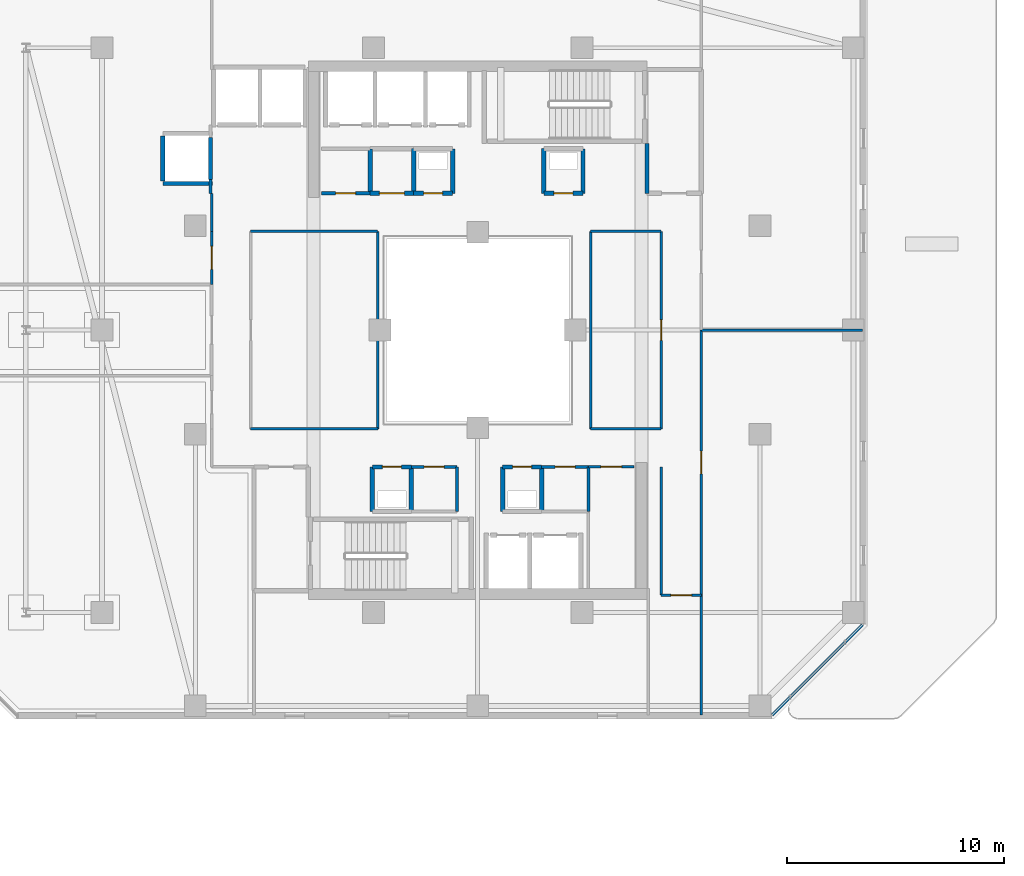
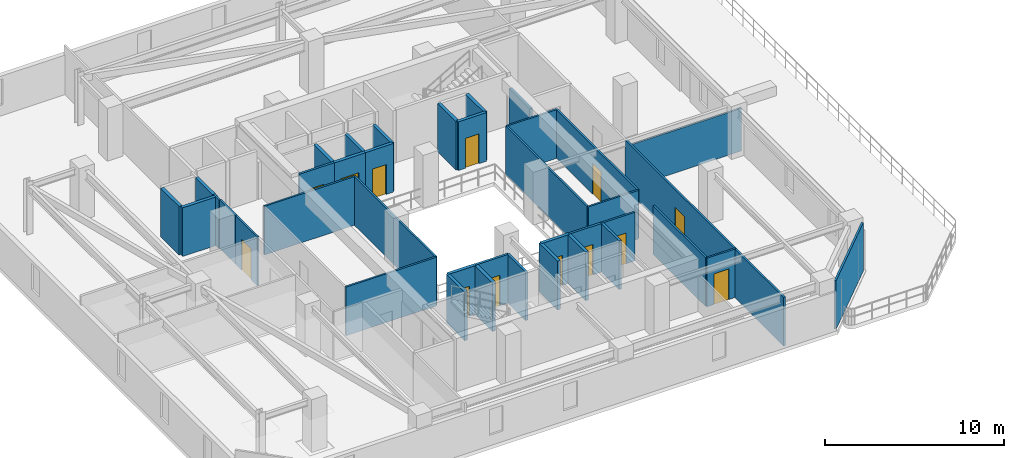
# One storey, part 21 of 32: 40 walls, 13 doors, 13 openings.
"""IFC4 building model written with IfcOpenShell, lengths in metres."""

from ifc_helpers import new_model, si_unit, direction, frame, frame_2d, origin, place, context, subcontext, project, spatial, rectangle, extrude, material, layer, layer_set, type_object, element, fill, save


model = new_model("IFC4")

# Units and contexts
model_context = context("Model", 3, precision=1e-05, world=origin(), true_north=direction((0.0, 1.0)))
body_context = subcontext(model_context, "Body", "Model", "MODEL_VIEW")
ifc_project = project(units=[si_unit("LENGTHUNIT", "METRE"), si_unit("AREAUNIT", "SQUARE_METRE"), si_unit("VOLUMEUNIT", "CUBIC_METRE"), si_unit("PLANEANGLEUNIT", "RADIAN"), si_unit("MASSUNIT", "GRAM", prefix="KILO")], contexts=[model_context])

# Site, building, storey
site_placement = place(None, origin())
site = spatial("IfcSite", under=ifc_project, at=site_placement, CompositionType="ELEMENT")
building_placement = place(site_placement, origin())
building = spatial("IfcBuilding", under=site, at=building_placement, Name="Thornwick Lancets Civic Towers", CompositionType="ELEMENT")
storey_placement = place(building_placement, frame((0.0, 0.0, 200.10009765625)))
storey = spatial("IfcBuildingStorey", under=building, at=storey_placement, Name="L53", CompositionType="ELEMENT", Elevation=200.10009765625)

# Walls
ifc_material_1 = material(Name="Concrete blockwork C40/50", Category="masonry")
ifc_layer_1 = layer(ifc_material_1, 0.199951171875, Name="Concrete blockwork C40/50")
ifc_layer_set_1 = layer_set([ifc_layer_1], Name="Concrete blockwork C40/50")
wall_type_1 = type_object("IfcWallType", Name="WALL_COMP_200", PredefinedType="STANDARD", material=ifc_layer_set_1)
wall_1_placement = place(storey_placement, frame((13.199951171875, 33.929931640625, 0.0), z_axis=(0.0, 0.0, 1.0), x_axis=(0.0, 1.0, 0.0)))
element("IfcWall", 1, at=wall_1_placement, inside=storey, type_object=wall_type_1, Name="L53 Hoistway Front Wall PL-AM3", PredefinedType="STANDARD", context=body_context, shape_type="SweptSolid", body=[
    extrude(rectangle(XDim=1.940185546875, YDim=0.199951171875, at=frame_2d((0.97021484375, 0.0))), origin(), (0.0, 0.0, 1.0), 3.31982421875),
])
wall_2_placement = place(storey_placement, frame((11.001953125, 33.75, 0.0), z_axis=(0.0, 0.0, 1.0), x_axis=(1.0, 0.0, 0.0)))
element("IfcWall", 2, at=wall_2_placement, inside=storey, type_object=wall_type_1, Name="L53 Hoistway Shaft Wall PL-AM3 S", PredefinedType="STANDARD", context=body_context, shape_type="SweptSolid", body=[
    extrude(rectangle(XDim=2.296142578125, YDim=0.199951171875, at=frame_2d((1.14794921875, 0.0))), origin(), (0.0, 0.0, 1.0), 3.31982421875),
])
wall_3_placement = place(storey_placement, frame((11.0, 33.862060546875, 0.0), z_axis=(0.0, 0.0, 1.0), x_axis=(0.0, 1.0, 0.0)))
element("IfcWall", 3, at=wall_3_placement, inside=storey, type_object=wall_type_1, Name="L53 Hoistway Shaft Wall PL-AM3 W", PredefinedType="STANDARD", context=body_context, shape_type="SweptSolid", body=[
    extrude(rectangle(XDim=2.075927734375, YDim=0.199951171875, at=frame_2d((1.0380859375, 0.0))), origin(), (0.0, 0.0, 1.0), 3.31982421875),
])
wall_4_placement = place(storey_placement, frame((33.300048828125, 35.60009765625, 0.0), z_axis=(0.0, 0.0, 1.0), x_axis=(0.0, -1.0, 0.0)))
element("IfcWall", 4, at=wall_4_placement, inside=storey, type_object=wall_type_1, Name="L53 Partition L53-A-FFLOB2 E4", PredefinedType="STANDARD", context=body_context, shape_type="SweptSolid", body=[
    extrude(rectangle(XDim=2.300048828125, YDim=0.199951171875, at=frame_2d((1.14990234375, 0.0))), origin(), (0.0, 0.0, 1.0), 2.52490234375),
])
wall_5_placement = place(storey_placement, frame((28.449951171875, 18.64990234375, 0.0), z_axis=(0.0, 0.0, 1.0), x_axis=(0.0, 1.0, 0.0)))
element("IfcWall", 5, at=wall_5_placement, inside=storey, type_object=wall_type_1, Name="L53 Partition L53-A-DUCT1 E2", PredefinedType="STANDARD", context=body_context, shape_type="SweptSolid", body=[
    extrude(rectangle(XDim=2.050048828125, YDim=0.199951171875, at=frame_2d((1.02490234375, 0.0))), origin(), (0.0, 0.0, 1.0), 3.31982421875),
])

# Wall, opening, door
wall_6_placement = place(storey_placement, frame((28.449951171875, 20.699951171875, 0.0), z_axis=(0.0, 0.0, 1.0), x_axis=(-1.0, 0.0, 0.0)))
wall_6 = element("IfcWall", 6, at=wall_6_placement, inside=storey, type_object=wall_type_1, Name="L53 Partition L53-A-DUCT1 E3", PredefinedType="STANDARD", context=body_context, shape_type="SweptSolid", body=[
    extrude(rectangle(XDim=1.800048828125, YDim=0.199951171875, at=frame_2d((0.89990234375, 0.0))), origin(), (0.0, 0.0, 1.0), 3.31982421875),
])
opening_1_placement = place(wall_6_placement, frame((0.4599609375, 0.0, 0.0)))
opening_1 = element("IfcOpeningElement", 7, at=opening_1_placement, cuts=wall_6, Name="Opening D-L53-2347", PredefinedType="OPENING", context=body_context, shape_type="SweptSolid", body=[
    extrude(rectangle(XDim=0.8798828125, YDim=2.0400390625, at=frame_2d((0.43994140625, 1.02001953125))), frame((0.0, 0.10986328125, 0.0), z_axis=(0.0, -1.0, 0.0), x_axis=(1.0, 0.0, 0.0)), (0.0, 0.0, 1.0), 0.219970703125),
])
ifc_material_2 = material(Name="Steel riser access doorset", Category="steel")
door_type_1 = type_object("IfcDoorType", Name="DOOR_RISER_850", OperationType="NOTDEFINED", PredefinedType="DOOR", material=ifc_material_2)
door_1_placement = place(opening_1_placement, origin())
door_1 = element("IfcDoor", 8, at=door_1_placement, inside=storey, type_object=door_type_1, Name="L53 South Service Duct 1 Door", OperationType="SINGLE_SWING_RIGHT", OverallHeight=2.0400390625, OverallWidth=0.8798828125, PredefinedType="DOOR", context=body_context, shape_type="SweptSolid", body=[
    extrude(rectangle(XDim=0.8798828125, YDim=2.0400390625, at=frame_2d((0.43994140625, 1.02001953125))), frame((0.0, 0.02490234375, 0.0), z_axis=(0.0, -1.0, 0.0), x_axis=(1.0, 0.0, 0.0)), (0.0, 0.0, 1.0), 0.050048828125),
])
fill(opening_1, door_1)

# Walls
for number, where, z_axis, x_axis, name in (
    (9, (26.64990234375, 20.699951171875, 0.0), (0.0, 0.0, 1.0), (0.0, -1.0, 0.0), "L53 Partition L53-A-DUCT1 E4"),
    (10, (22.449951171875, 18.64990234375, 0.0), (0.0, 0.0, 1.0), (0.0, 1.0, 0.0), "L53 Partition L53-A-RISER1 E2"),
):
    element("IfcWall", number, at=place(storey_placement, frame(where, z_axis=z_axis, x_axis=x_axis)), inside=storey, type_object=wall_type_1, Name=name, PredefinedType="STANDARD", context=body_context, shape_type="SweptSolid", body=[
        extrude(rectangle(XDim=2.050048828125, YDim=0.199951171875, at=frame_2d((1.02490234375, 0.0))), origin(), (0.0, 0.0, 1.0), 3.31982421875),
    ])

# Wall, opening, door
wall_7_placement = place(storey_placement, frame((22.449951171875, 20.699951171875, 0.0), z_axis=(0.0, 0.0, 1.0), x_axis=(-1.0, 0.0, 0.0)))
wall_7 = element("IfcWall", 11, at=wall_7_placement, inside=storey, type_object=wall_type_1, Name="L53 Partition L53-A-RISER1 E3", PredefinedType="STANDARD", context=body_context, shape_type="SweptSolid", body=[
    extrude(rectangle(XDim=1.800048828125, YDim=0.199951171875, at=frame_2d((0.89990234375, 0.0))), origin(), (0.0, 0.0, 1.0), 3.31982421875),
])
opening_2_placement = place(wall_7_placement, frame((0.4599609375, 0.0, 0.0)))
opening_2 = element("IfcOpeningElement", 12, at=opening_2_placement, cuts=wall_7, Name="Opening D-L53-2348", PredefinedType="OPENING", context=body_context, shape_type="SweptSolid", body=[
    extrude(rectangle(XDim=0.8798828125, YDim=2.0400390625, at=frame_2d((0.43994140625, 1.02001953125))), frame((0.0, 0.10986328125, 0.0), z_axis=(0.0, -1.0, 0.0), x_axis=(1.0, 0.0, 0.0)), (0.0, 0.0, 1.0), 0.219970703125),
])
door_2_placement = place(opening_2_placement, origin())
door_2 = element("IfcDoor", 13, at=door_2_placement, inside=storey, type_object=door_type_1, Name="L53 South Electrical Riser 1 Door", OperationType="SINGLE_SWING_LEFT", OverallHeight=2.0400390625, OverallWidth=0.8798828125, PredefinedType="DOOR", context=body_context, shape_type="SweptSolid", body=[
    extrude(rectangle(XDim=0.8798828125, YDim=2.0400390625, at=frame_2d((0.43994140625, 1.02001953125))), frame((0.0, 0.02490234375, 0.0), z_axis=(0.0, -1.0, 0.0), x_axis=(1.0, 0.0, 0.0)), (0.0, 0.0, 1.0), 0.050048828125),
])
fill(opening_2, door_2)

# Wall
wall_8_placement = place(storey_placement, frame((20.64990234375, 20.699951171875, 0.0), z_axis=(0.0, 0.0, 1.0), x_axis=(0.0, -1.0, 0.0)))
element("IfcWall", 14, at=wall_8_placement, inside=storey, type_object=wall_type_1, Name="L53 Partition L53-A-RISER1 E4", PredefinedType="STANDARD", context=body_context, shape_type="SweptSolid", body=[
    extrude(rectangle(XDim=2.050048828125, YDim=0.199951171875, at=frame_2d((1.02490234375, 0.0))), origin(), (0.0, 0.0, 1.0), 3.31982421875),
])

# Wall, opening, door
wall_9_placement = place(storey_placement, frame((22.550048828125, 33.300048828125, 0.0), z_axis=(0.0, 0.0, 1.0), x_axis=(1.0, 0.0, 0.0)))
wall_9 = element("IfcWall", 15, at=wall_9_placement, inside=storey, type_object=wall_type_1, Name="L53 Partition L53-A-DUCT2 E1", PredefinedType="STANDARD", context=body_context, shape_type="SweptSolid", body=[
    extrude(rectangle(XDim=1.800048828125, YDim=0.199951171875, at=frame_2d((0.89990234375, 0.0))), origin(), (0.0, 0.0, 1.0), 3.31982421875),
])
opening_3_placement = place(wall_9_placement, frame((0.4599609375, 0.0, 0.0)))
opening_3 = element("IfcOpeningElement", 16, at=opening_3_placement, cuts=wall_9, Name="Opening D-L53-2349", PredefinedType="OPENING", context=body_context, shape_type="SweptSolid", body=[
    extrude(rectangle(XDim=0.8798828125, YDim=2.0400390625, at=frame_2d((0.43994140625, 1.02001953125))), frame((0.0, 0.10986328125, 0.0), z_axis=(0.0, -1.0, 0.0), x_axis=(1.0, 0.0, 0.0)), (0.0, 0.0, 1.0), 0.219970703125),
])
door_3_placement = place(opening_3_placement, origin())
door_3 = element("IfcDoor", 17, at=door_3_placement, inside=storey, type_object=door_type_1, Name="L53 North Service Duct 2 Door", OperationType="SINGLE_SWING_RIGHT", OverallHeight=2.0400390625, OverallWidth=0.8798828125, PredefinedType="DOOR", context=body_context, shape_type="SweptSolid", body=[
    extrude(rectangle(XDim=0.8798828125, YDim=2.0400390625, at=frame_2d((0.43994140625, 1.02001953125))), frame((0.0, 0.02490234375, 0.0), z_axis=(0.0, -1.0, 0.0), x_axis=(1.0, 0.0, 0.0)), (0.0, 0.0, 1.0), 0.050048828125),
])
fill(opening_3, door_3)

# Walls
for number, where, z_axis, x_axis, name in (
    (18, (24.35009765625, 33.300048828125, 0.0), (0.0, 0.0, 1.0), (0.0, 1.0, 0.0), "L53 Partition L53-A-DUCT2 E2"),
    (19, (22.550048828125, 35.35009765625, 0.0), (0.0, 0.0, 1.0), (0.0, -1.0, 0.0), "L53 Partition L53-A-DUCT2 E4"),
):
    element("IfcWall", number, at=place(storey_placement, frame(where, z_axis=z_axis, x_axis=x_axis)), inside=storey, type_object=wall_type_1, Name=name, PredefinedType="STANDARD", context=body_context, shape_type="SweptSolid", body=[
        extrude(rectangle(XDim=2.050048828125, YDim=0.199951171875, at=frame_2d((1.02490234375, 0.0))), origin(), (0.0, 0.0, 1.0), 3.31982421875),
    ])

# Wall, opening, door
wall_10_placement = place(storey_placement, frame((28.550048828125, 33.300048828125, 0.0), z_axis=(0.0, 0.0, 1.0), x_axis=(1.0, 0.0, 0.0)))
wall_10 = element("IfcWall", 20, at=wall_10_placement, inside=storey, type_object=wall_type_1, Name="L53 Partition L53-A-RISER2 E1", PredefinedType="STANDARD", context=body_context, shape_type="SweptSolid", body=[
    extrude(rectangle(XDim=1.800048828125, YDim=0.199951171875, at=frame_2d((0.89990234375, 0.0))), origin(), (0.0, 0.0, 1.0), 3.31982421875),
])
opening_4_placement = place(wall_10_placement, frame((0.4599609375, 0.0, 0.0)))
opening_4 = element("IfcOpeningElement", 21, at=opening_4_placement, cuts=wall_10, Name="Opening D-L53-2350", PredefinedType="OPENING", context=body_context, shape_type="SweptSolid", body=[
    extrude(rectangle(XDim=0.8798828125, YDim=2.0400390625, at=frame_2d((0.43994140625, 1.02001953125))), frame((0.0, 0.10986328125, 0.0), z_axis=(0.0, -1.0, 0.0), x_axis=(1.0, 0.0, 0.0)), (0.0, 0.0, 1.0), 0.219970703125),
])
door_4_placement = place(opening_4_placement, origin())
door_4 = element("IfcDoor", 22, at=door_4_placement, inside=storey, type_object=door_type_1, Name="L53 North Service Riser 2 Door", OperationType="SINGLE_SWING_LEFT", OverallHeight=2.0400390625, OverallWidth=0.8798828125, PredefinedType="DOOR", context=body_context, shape_type="SweptSolid", body=[
    extrude(rectangle(XDim=0.8798828125, YDim=2.0400390625, at=frame_2d((0.43994140625, 1.02001953125))), frame((0.0, 0.02490234375, 0.0), z_axis=(0.0, -1.0, 0.0), x_axis=(1.0, 0.0, 0.0)), (0.0, 0.0, 1.0), 0.050048828125),
])
fill(opening_4, door_4)

# Walls
for number, where, z_axis, x_axis, name in (
    (23, (30.35009765625, 33.300048828125, 0.0), (0.0, 0.0, 1.0), (0.0, 1.0, 0.0), "L53 Partition L53-A-RISER2 E2"),
    (24, (28.550048828125, 35.35009765625, 0.0), (0.0, 0.0, 1.0), (0.0, -1.0, 0.0), "L53 Partition L53-A-RISER2 E4"),
    (25, (20.550048828125, 33.300048828125, 0.0), (0.0, 0.0, 1.0), (0.0, 1.0, 0.0), "L53 Partition L53-A-STR E1"),
):
    element("IfcWall", number, at=place(storey_placement, frame(where, z_axis=z_axis, x_axis=x_axis)), inside=storey, type_object=wall_type_1, Name=name, PredefinedType="STANDARD", context=body_context, shape_type="SweptSolid", body=[
        extrude(rectangle(XDim=2.050048828125, YDim=0.199951171875, at=frame_2d((1.02490234375, 0.0))), origin(), (0.0, 0.0, 1.0), 3.31982421875),
    ])

# Wall, opening, door
wall_11_placement = place(storey_placement, frame((22.550048828125, 33.300048828125, 0.0), z_axis=(0.0, 0.0, 1.0), x_axis=(-1.0, 0.0, 0.0)))
wall_11 = element("IfcWall", 26, at=wall_11_placement, inside=storey, type_object=wall_type_1, Name="L53 Partition L53-A-STR E4", PredefinedType="STANDARD", context=body_context, shape_type="SweptSolid", body=[
    extrude(rectangle(XDim=2.0, YDim=0.199951171875, at=frame_2d((1.0, 0.0))), origin(), (0.0, 0.0, 1.0), 3.31982421875),
])
opening_5_placement = place(wall_11_placement, frame((0.425048828125, 0.0, 0.0)))
opening_5 = element("IfcOpeningElement", 27, at=opening_5_placement, cuts=wall_11, Name="Opening D-L53-2355", PredefinedType="OPENING", context=body_context, shape_type="SweptSolid", body=[
    extrude(rectangle(XDim=1.14990234375, YDim=2.10009765625, at=frame_2d((0.574951171875, 1.050048828125))), frame((0.0, 0.10986328125, 0.0), z_axis=(0.0, -1.0, 0.0), x_axis=(1.0, 0.0, 0.0)), (0.0, 0.0, 1.0), 0.219970703125),
])
ifc_material_3 = material(Name="Glazed fire-resisting steel", Category="steel")
door_type_2 = type_object("IfcDoorType", Name="DOOR_LOBBY_FD60", OperationType="NOTDEFINED", PredefinedType="DOOR", material=ifc_material_3)
door_5_placement = place(opening_5_placement, origin())
door_5 = element("IfcDoor", 28, at=door_5_placement, inside=storey, type_object=door_type_2, Name="L53 Tower A Core Records Store Door", OperationType="SINGLE_SWING_RIGHT", OverallHeight=2.10009765625, OverallWidth=1.14990234375, PredefinedType="DOOR", context=body_context, shape_type="SweptSolid", body=[
    extrude(rectangle(XDim=1.14990234375, YDim=2.10009765625, at=frame_2d((0.574951171875, 1.050048828125))), frame((0.0, 0.02490234375, 0.0), z_axis=(0.0, -1.0, 0.0), x_axis=(1.0, 0.0, 0.0)), (0.0, 0.0, 1.0), 0.050048828125),
])
fill(opening_5, door_5)

ifc_material_4 = material(Name="Acoustic gypsum board partition")
ifc_layer_2 = layer(ifc_material_4, 0.1201171875, Name="Acoustic gypsum board partition")
ifc_layer_set_2 = layer_set([ifc_layer_2], Name="Acoustic gypsum board partition")
wall_type_2 = type_object("IfcWallType", Name="WALL_PART_120", PredefinedType="PARTITIONING", material=ifc_layer_set_2)
wall_12_placement = place(storey_placement, frame((30.60009765625, 20.699951171875, 0.0), z_axis=(0.0, 0.0, 1.0), x_axis=(1.0, 0.0, 0.0)))
wall_12 = element("IfcWall", 29, at=wall_12_placement, inside=storey, type_object=wall_type_2, Name="L53 Partition L53-A-ITR E5", PredefinedType="PARTITIONING", context=body_context, shape_type="SweptSolid", body=[
    extrude(rectangle(XDim=2.099853515625, YDim=0.1201171875, at=frame_2d((1.0498046875, 0.0))), origin(), (0.0, 0.0, 1.0), 3.31982421875),
])
opening_6_placement = place(wall_12_placement, frame((0.574951171875, 0.0, 0.0)))
opening_6 = element("IfcOpeningElement", 30, at=opening_6_placement, cuts=wall_12, Name="Opening D-L53-2353", PredefinedType="OPENING", context=body_context, shape_type="SweptSolid", body=[
    extrude(rectangle(XDim=0.949951171875, YDim=2.10009765625, at=frame_2d((0.47509765625, 1.050048828125))), frame((0.0, 0.070068359375, 0.0), z_axis=(0.0, -1.0, 0.0), x_axis=(1.0, 0.0, 0.0)), (0.0, 0.0, 1.0), 0.14013671875),
])
ifc_material_5 = material(Name="European oak acoustic doorset")
door_type_3 = type_object("IfcDoorType", Name="DOOR_OFFICE_950", OperationType="NOTDEFINED", PredefinedType="DOOR", material=ifc_material_5)
door_6_placement = place(opening_6_placement, origin())
door_6 = element("IfcDoor", 31, at=door_6_placement, inside=storey, type_object=door_type_3, Name="L53 Tower A Comms Patch Room Door", OperationType="SINGLE_SWING_RIGHT", OverallHeight=2.10009765625, OverallWidth=0.949951171875, PredefinedType="DOOR", context=body_context, shape_type="SweptSolid", body=[
    extrude(rectangle(XDim=0.949951171875, YDim=2.10009765625, at=frame_2d((0.47509765625, 1.050048828125))), frame((0.0, 0.02490234375, 0.0), z_axis=(0.0, -1.0, 0.0), x_axis=(1.0, 0.0, 0.0)), (0.0, 0.0, 1.0), 0.050048828125),
])
fill(opening_6, door_6)

# Wall
wall_13_placement = place(storey_placement, frame((33.949951171875, 20.699951171875, 0.0), z_axis=(0.0, 0.0, 1.0), x_axis=(0.0, -1.0, 0.0)))
element("IfcWall", 32, at=wall_13_placement, inside=storey, type_object=wall_type_2, Name="L53 Partition L53-A-RECLAIM-L E2", PredefinedType="PARTITIONING", context=body_context, shape_type="SweptSolid", body=[
    extrude(rectangle(XDim=5.89990234375, YDim=0.1201171875, at=frame_2d((2.949951171875, 0.0))), origin(), (0.0, 0.0, 1.0), 3.31982421875),
])

# Wall, opening, door
wall_14_placement = place(storey_placement, frame((33.949951171875, 14.800048828125, 0.0), z_axis=(0.0, 0.0, 1.0), x_axis=(1.0, 0.0, 0.0)))
wall_14 = element("IfcWall", 33, at=wall_14_placement, inside=storey, type_object=wall_type_2, Name="L53 Partition L53-A-RECLAIM-L E3", PredefinedType="PARTITIONING", context=body_context, shape_type="SweptSolid", body=[
    extrude(rectangle(XDim=1.85009765625, YDim=0.1201171875, at=frame_2d((0.925048828125, 0.0))), origin(), (0.0, 0.0, 1.0), 3.31982421875),
])
opening_7_placement = place(wall_14_placement, frame((0.449951171875, 0.0, 0.0)))
opening_7 = element("IfcOpeningElement", 34, at=opening_7_placement, cuts=wall_14, Name="Opening D-L53-2367", PredefinedType="OPENING", context=body_context, shape_type="SweptSolid", body=[
    extrude(rectangle(XDim=0.949951171875, YDim=2.10009765625, at=frame_2d((0.47509765625, 1.050048828125))), frame((0.0, 0.070068359375, 0.0), z_axis=(0.0, -1.0, 0.0), x_axis=(1.0, 0.0, 0.0)), (0.0, 0.0, 1.0), 0.14013671875),
])
door_7_placement = place(opening_7_placement, origin())
door_7 = element("IfcDoor", 35, at=door_7_placement, inside=storey, type_object=door_type_3, Name="L53 Tower A Parliamentary Drafting Library Door", OperationType="SINGLE_SWING_RIGHT", OverallHeight=2.10009765625, OverallWidth=0.949951171875, PredefinedType="DOOR", context=body_context, shape_type="SweptSolid", body=[
    extrude(rectangle(XDim=0.949951171875, YDim=2.10009765625, at=frame_2d((0.47509765625, 1.050048828125))), frame((0.0, 0.02490234375, 0.0), z_axis=(0.0, -1.0, 0.0), x_axis=(1.0, 0.0, 0.0)), (0.0, 0.0, 1.0), 0.050048828125),
])
fill(opening_7, door_7)

# Walls
wall_15_placement = place(storey_placement, frame((35.800048828125, 14.800048828125, 0.0), z_axis=(0.0, 0.0, 1.0), x_axis=(0.0, -1.0, 0.0)))
element("IfcWall", 36, at=wall_15_placement, inside=storey, type_object=wall_type_2, Name="L53 Partition L53-A-RECLAIM-L E4", PredefinedType="PARTITIONING", context=body_context, shape_type="SweptSolid", body=[
    extrude(rectangle(XDim=5.52001953125, YDim=0.1201171875, at=frame_2d((2.760009765625, 0.0))), origin(), (0.0, 0.0, 1.0), 3.31982421875),
])
wall_16_placement = place(storey_placement, frame((13.199951171875, 33.929931640625, 0.0), z_axis=(0.0, 0.0, 1.0), x_axis=(0.0, -1.0, 0.0)))
element("IfcWall", 37, at=wall_16_placement, inside=storey, type_object=wall_type_2, Name="L53 Partition L53-A-W2B E6", PredefinedType="PARTITIONING", context=body_context, shape_type="SweptSolid", body=[
    extrude(rectangle(XDim=0.6298828125, YDim=0.1201171875, at=frame_2d((0.31494140625, 0.0))), origin(), (0.0, 0.0, 1.0), 3.31982421875),
])
wall_17_placement = place(storey_placement, frame((13.25, 33.300048828125, 0.0), z_axis=(0.0, 0.0, 1.0), x_axis=(0.0, -1.0, 0.0)))
element("IfcWall", 38, at=wall_17_placement, inside=storey, type_object=wall_type_2, Name="L53 Partition L53-A-W2B E8", PredefinedType="PARTITIONING", context=body_context, shape_type="SweptSolid", body=[
    extrude(rectangle(XDim=1.75, YDim=0.1201171875, at=frame_2d((0.875, 0.0))), origin(), (0.0, 0.0, 1.0), 3.31982421875),
])

# Wall, opening, door
wall_18_placement = place(storey_placement, frame((13.25, 31.550048828125, 0.0), z_axis=(0.0, 0.0, 1.0), x_axis=(0.0, -1.0, 0.0)))
wall_18 = element("IfcWall", 39, at=wall_18_placement, inside=storey, type_object=wall_type_2, Name="L53 Partition L53-A-W2B E9", PredefinedType="PARTITIONING", context=body_context, shape_type="SweptSolid", body=[
    extrude(rectangle(XDim=2.449951171875, YDim=0.1201171875, at=frame_2d((1.22509765625, 0.0))), origin(), (0.0, 0.0, 1.0), 3.31982421875),
])
opening_8_placement = place(wall_18_placement, frame((0.699951171875, 0.0, 0.0)))
opening_8 = element("IfcOpeningElement", 40, at=opening_8_placement, cuts=wall_18, Name="Opening D-L53-2370", PredefinedType="OPENING", context=body_context, shape_type="SweptSolid", body=[
    extrude(rectangle(XDim=1.050048828125, YDim=2.10009765625, at=frame_2d((0.52490234375, 1.050048828125))), frame((0.0, 0.070068359375, 0.0), z_axis=(0.0, -1.0, 0.0), x_axis=(1.0, 0.0, 0.0)), (0.0, 0.0, 1.0), 0.14013671875),
])
ifc_material_6 = material(Name="Glazed European oak executive doorset")
door_type_4 = type_object("IfcDoorType", Name="DOOR_OFFICE_1050", OperationType="NOTDEFINED", PredefinedType="DOOR", material=ifc_material_6)
door_8_placement = place(opening_8_placement, origin())
door_8 = element("IfcDoor", 41, at=door_8_placement, inside=storey, type_object=door_type_4, Name="L53 Tower A Parliamentary Casework Suite W2B Door", OperationType="SINGLE_SWING_LEFT", OverallHeight=2.10009765625, OverallWidth=1.050048828125, PredefinedType="DOOR", context=body_context, shape_type="SweptSolid", body=[
    extrude(rectangle(XDim=1.050048828125, YDim=2.10009765625, at=frame_2d((0.52490234375, 1.050048828125))), frame((0.0, 0.02490234375, 0.0), z_axis=(0.0, -1.0, 0.0), x_axis=(1.0, 0.0, 0.0)), (0.0, 0.0, 1.0), 0.050048828125),
])
fill(opening_8, door_8)

# Walls
wall_19_placement = place(storey_placement, frame((15.050048828125, 31.550048828125, 0.0), z_axis=(0.0, 0.0, 1.0), x_axis=(1.0, 0.0, 0.0)))
element("IfcWall", 42, at=wall_19_placement, inside=storey, type_object=wall_type_2, Name="L53 Partition L53-A-W3 E2", PredefinedType="PARTITIONING", context=body_context, shape_type="SweptSolid", body=[
    extrude(rectangle(XDim=5.849853515625, YDim=0.1201171875, at=frame_2d((2.9248046875, 0.0))), origin(), (0.0, 0.0, 1.0), 3.31982421875),
])
wall_20_placement = place(storey_placement, frame((20.89990234375, 31.550048828125, 0.0), z_axis=(0.0, 0.0, 1.0), x_axis=(0.0, -1.0, 0.0)))
element("IfcWall", 43, at=wall_20_placement, inside=storey, type_object=wall_type_2, Name="L53 Partition L53-A-W3 E3", PredefinedType="PARTITIONING", context=body_context, shape_type="SweptSolid", body=[
    extrude(rectangle(XDim=9.10009765625, YDim=0.1201171875, at=frame_2d((4.550048828125, 0.0))), origin(), (0.0, 0.0, 1.0), 3.31982421875),
])
wall_21_placement = place(storey_placement, frame((20.89990234375, 22.449951171875, 0.0), z_axis=(0.0, 0.0, 1.0), x_axis=(-1.0, 0.0, 0.0)))
element("IfcWall", 44, at=wall_21_placement, inside=storey, type_object=wall_type_2, Name="L53 Partition L53-A-W3 E4", PredefinedType="PARTITIONING", context=body_context, shape_type="SweptSolid", body=[
    extrude(rectangle(XDim=5.849853515625, YDim=0.1201171875, at=frame_2d((2.9248046875, 0.0))), origin(), (0.0, 0.0, 1.0), 3.31982421875),
])

# Wall, opening, door
wall_22_placement = place(storey_placement, frame((35.800048828125, 14.800048828125, 0.0), z_axis=(0.0, 0.0, 1.0), x_axis=(0.0, 1.0, 0.0)))
wall_22 = element("IfcWall", 45, at=wall_22_placement, inside=storey, type_object=wall_type_2, Name="L53 Partition L53-A-E1 E3", PredefinedType="PARTITIONING", context=body_context, shape_type="SweptSolid", body=[
    extrude(rectangle(XDim=12.199951171875, YDim=0.1201171875, at=frame_2d((6.10009765625, 0.0))), origin(), (0.0, 0.0, 1.0), 3.31982421875),
])
opening_9_placement = place(wall_22_placement, frame((5.574951171875, 0.0, 0.0)))
opening_9 = element("IfcOpeningElement", 46, at=opening_9_placement, cuts=wall_22, Name="Opening D-L53-2372", PredefinedType="OPENING", context=body_context, shape_type="SweptSolid", body=[
    extrude(rectangle(XDim=1.050048828125, YDim=2.10009765625, at=frame_2d((0.52490234375, 1.050048828125))), frame((0.0, 0.070068359375, 0.0), z_axis=(0.0, -1.0, 0.0), x_axis=(1.0, 0.0, 0.0)), (0.0, 0.0, 1.0), 0.14013671875),
])
door_9_placement = place(opening_9_placement, origin())
door_9 = element("IfcDoor", 47, at=door_9_placement, inside=storey, type_object=door_type_4, Name="L53 Tower A Secretariat Open Office E1 Door", OperationType="SINGLE_SWING_LEFT", OverallHeight=2.10009765625, OverallWidth=1.050048828125, PredefinedType="DOOR", context=body_context, shape_type="SweptSolid", body=[
    extrude(rectangle(XDim=1.050048828125, YDim=2.10009765625, at=frame_2d((0.52490234375, 1.050048828125))), frame((0.0, 0.02490234375, 0.0), z_axis=(0.0, -1.0, 0.0), x_axis=(1.0, 0.0, 0.0)), (0.0, 0.0, 1.0), 0.050048828125),
])
fill(opening_9, door_9)

# Walls
wall_23_placement = place(storey_placement, frame((35.800048828125, 27.0, 0.0), z_axis=(0.0, 0.0, 1.0), x_axis=(1.0, 0.0, 0.0)))
element("IfcWall", 48, at=wall_23_placement, inside=storey, type_object=wall_type_2, Name="L53 Partition L53-A-E1 E4", PredefinedType="PARTITIONING", context=body_context, shape_type="SweptSolid", body=[
    extrude(rectangle(XDim=7.419921875, YDim=0.1201171875, at=frame_2d((3.7099609375, 0.0))), origin(), (0.0, 0.0, 1.0), 2.912109375),
])
wall_24_placement = place(storey_placement, frame((43.219970703125, 13.4365234375, 0.0), z_axis=(0.0, 0.0, 1.0), x_axis=(-0.707106781187, -0.707106781187, 0.0)))
element("IfcWall", 49, at=wall_24_placement, inside=storey, type_object=wall_type_2, Name="L53 Partition L53-A-E1 E6", PredefinedType="PARTITIONING", context=body_context, shape_type="SweptSolid", body=[
    extrude(rectangle(XDim=5.878173828125, YDim=0.1201171875, at=frame_2d((2.93896484375, 0.0))), origin(), (0.0, 0.0, 1.0), 3.31982421875),
])
wall_25_placement = place(storey_placement, frame((30.699951171875, 22.449951171875, 0.0), z_axis=(0.0, 0.0, 1.0), x_axis=(0.0, 1.0, 0.0)))
element("IfcWall", 50, at=wall_25_placement, inside=storey, type_object=wall_type_2, Name="L53 Partition L53-A-E-ATRIUM-OFF E1", PredefinedType="PARTITIONING", context=body_context, shape_type="SweptSolid", body=[
    extrude(rectangle(XDim=9.10009765625, YDim=0.1201171875, at=frame_2d((4.550048828125, 0.0))), origin(), (0.0, 0.0, 1.0), 3.31982421875),
])
wall_26_placement = place(storey_placement, frame((30.699951171875, 31.550048828125, 0.0), z_axis=(0.0, 0.0, 1.0), x_axis=(1.0, 0.0, 0.0)))
element("IfcWall", 51, at=wall_26_placement, inside=storey, type_object=wall_type_2, Name="L53 Partition L53-A-E-ATRIUM-OFF E2", PredefinedType="PARTITIONING", context=body_context, shape_type="SweptSolid", body=[
    extrude(rectangle(XDim=3.25, YDim=0.1201171875, at=frame_2d((1.625, 0.0))), origin(), (0.0, 0.0, 1.0), 3.31982421875),
])

# Wall, opening, door
wall_27_placement = place(storey_placement, frame((33.949951171875, 31.550048828125, 0.0), z_axis=(0.0, 0.0, 1.0), x_axis=(0.0, -1.0, 0.0)))
wall_27 = element("IfcWall", 52, at=wall_27_placement, inside=storey, type_object=wall_type_2, Name="L53 Partition L53-A-E-ATRIUM-OFF E3", PredefinedType="PARTITIONING", context=body_context, shape_type="SweptSolid", body=[
    extrude(rectangle(XDim=9.10009765625, YDim=0.1201171875, at=frame_2d((4.550048828125, 0.0))), origin(), (0.0, 0.0, 1.0), 3.31982421875),
])
opening_10_placement = place(wall_27_placement, frame((4.074951171875, 0.0, 0.0)))
opening_10 = element("IfcOpeningElement", 53, at=opening_10_placement, cuts=wall_27, Name="Opening D-L53-2374", PredefinedType="OPENING", context=body_context, shape_type="SweptSolid", body=[
    extrude(rectangle(XDim=0.949951171875, YDim=2.10009765625, at=frame_2d((0.47509765625, 1.050048828125))), frame((0.0, 0.070068359375, 0.0), z_axis=(0.0, -1.0, 0.0), x_axis=(1.0, 0.0, 0.0)), (0.0, 0.0, 1.0), 0.14013671875),
])
door_10_placement = place(opening_10_placement, origin())
door_10 = element("IfcDoor", 54, at=door_10_placement, inside=storey, type_object=door_type_3, Name="L53 Tower A Atrium Policy Office Door", OperationType="SINGLE_SWING_LEFT", OverallHeight=2.10009765625, OverallWidth=0.949951171875, PredefinedType="DOOR", context=body_context, shape_type="SweptSolid", body=[
    extrude(rectangle(XDim=0.949951171875, YDim=2.10009765625, at=frame_2d((0.47509765625, 1.050048828125))), frame((0.0, 0.02490234375, 0.0), z_axis=(0.0, -1.0, 0.0), x_axis=(1.0, 0.0, 0.0)), (0.0, 0.0, 1.0), 0.050048828125),
])
fill(opening_10, door_10)

# Walls
wall_28_placement = place(storey_placement, frame((33.949951171875, 22.449951171875, 0.0), z_axis=(0.0, 0.0, 1.0), x_axis=(-1.0, 0.0, 0.0)))
element("IfcWall", 55, at=wall_28_placement, inside=storey, type_object=wall_type_2, Name="L53 Partition L53-A-E-ATRIUM-OFF E4", PredefinedType="PARTITIONING", context=body_context, shape_type="SweptSolid", body=[
    extrude(rectangle(XDim=3.25, YDim=0.1201171875, at=frame_2d((1.625, 0.0))), origin(), (0.0, 0.0, 1.0), 3.31982421875),
])
ifc_material_7 = material(Name="Twin-stud acoustic gypsum board")
ifc_layer_3 = layer(ifc_material_7, 0.14990234375, Name="Twin-stud acoustic gypsum board")
ifc_layer_set_3 = layer_set([ifc_layer_3], Name="Twin-stud acoustic gypsum board")
wall_type_3 = type_object("IfcWallType", Name="WALL_PART_150", PredefinedType="PARTITIONING", material=ifc_layer_set_3)
wall_29_placement = place(storey_placement, frame((24.550048828125, 20.699951171875, 0.0), z_axis=(0.0, 0.0, 1.0), x_axis=(0.0, -1.0, 0.0)))
element("IfcWall", 56, at=wall_29_placement, inside=storey, type_object=wall_type_3, Name="L53 Partition L53-A-MWC E1", PredefinedType="PARTITIONING", context=body_context, shape_type="SweptSolid", body=[
    extrude(rectangle(XDim=2.050048828125, YDim=0.14990234375, at=frame_2d((1.02490234375, 0.0))), origin(), (0.0, 0.0, 1.0), 3.31982421875),
])

# Wall, opening, door
wall_30_placement = place(storey_placement, frame((22.449951171875, 20.699951171875, 0.0), z_axis=(0.0, 0.0, 1.0), x_axis=(1.0, 0.0, 0.0)))
wall_30 = element("IfcWall", 57, at=wall_30_placement, inside=storey, type_object=wall_type_3, Name="L53 Partition L53-A-MWC E4", PredefinedType="PARTITIONING", context=body_context, shape_type="SweptSolid", body=[
    extrude(rectangle(XDim=2.10009765625, YDim=0.14990234375, at=frame_2d((1.050048828125, 0.0))), origin(), (0.0, 0.0, 1.0), 3.31982421875),
])
opening_11_placement = place(wall_30_placement, frame((0.590087890625, 0.0, 0.0)))
opening_11 = element("IfcOpeningElement", 58, at=opening_11_placement, cuts=wall_30, Name="Opening D-L53-2351", PredefinedType="OPENING", context=body_context, shape_type="SweptSolid", body=[
    extrude(rectangle(XDim=0.919921875, YDim=2.080078125, at=frame_2d((0.4599609375, 1.0400390625))), frame((0.0, 0.0849609375, 0.0), z_axis=(0.0, -1.0, 0.0), x_axis=(1.0, 0.0, 0.0)), (0.0, 0.0, 1.0), 0.169921875),
])
ifc_material_8 = material(Name="Moisture-resistant oak doorset")
door_type_5 = type_object("IfcDoorType", Name="DOOR_WC_900", OperationType="NOTDEFINED", PredefinedType="DOOR", material=ifc_material_8)
door_11_placement = place(opening_11_placement, origin())
door_11 = element("IfcDoor", 59, at=door_11_placement, inside=storey, type_object=door_type_5, Name="L53 Tower A Male WC Door", OperationType="SINGLE_SWING_RIGHT", OverallHeight=2.080078125, OverallWidth=0.919921875, PredefinedType="DOOR", context=body_context, shape_type="SweptSolid", body=[
    extrude(rectangle(XDim=0.919921875, YDim=2.080078125, at=frame_2d((0.4599609375, 1.0400390625))), frame((0.0, 0.02490234375, 0.0), z_axis=(0.0, -1.0, 0.0), x_axis=(1.0, 0.0, 0.0)), (0.0, 0.0, 1.0), 0.050048828125),
])
fill(opening_11, door_11)

# Wall
wall_31_placement = place(storey_placement, frame((30.60009765625, 20.699951171875, 0.0), z_axis=(0.0, 0.0, 1.0), x_axis=(0.0, -1.0, 0.0)))
element("IfcWall", 60, at=wall_31_placement, inside=storey, type_object=wall_type_3, Name="L53 Partition L53-A-FWC E1", PredefinedType="PARTITIONING", context=body_context, shape_type="SweptSolid", body=[
    extrude(rectangle(XDim=2.050048828125, YDim=0.14990234375, at=frame_2d((1.02490234375, 0.0))), origin(), (0.0, 0.0, 1.0), 3.31982421875),
])

# Wall, opening, door
wall_32_placement = place(storey_placement, frame((28.449951171875, 20.699951171875, 0.0), z_axis=(0.0, 0.0, 1.0), x_axis=(1.0, 0.0, 0.0)))
wall_32 = element("IfcWall", 61, at=wall_32_placement, inside=storey, type_object=wall_type_3, Name="L53 Partition L53-A-FWC E4", PredefinedType="PARTITIONING", context=body_context, shape_type="SweptSolid", body=[
    extrude(rectangle(XDim=2.150146484375, YDim=0.14990234375, at=frame_2d((1.0751953125, 0.0))), origin(), (0.0, 0.0, 1.0), 3.31982421875),
])
opening_12_placement = place(wall_32_placement, frame((0.614990234375, 0.0, 0.0)))
opening_12 = element("IfcOpeningElement", 62, at=opening_12_placement, cuts=wall_32, Name="Opening D-L53-2352", PredefinedType="OPENING", context=body_context, shape_type="SweptSolid", body=[
    extrude(rectangle(XDim=0.919921875, YDim=2.080078125, at=frame_2d((0.4599609375, 1.0400390625))), frame((0.0, 0.0849609375, 0.0), z_axis=(0.0, -1.0, 0.0), x_axis=(1.0, 0.0, 0.0)), (0.0, 0.0, 1.0), 0.169921875),
])
door_12_placement = place(opening_12_placement, origin())
door_12 = element("IfcDoor", 63, at=door_12_placement, inside=storey, type_object=door_type_5, Name="L53 Tower A Female WC Door", OperationType="SINGLE_SWING_LEFT", OverallHeight=2.080078125, OverallWidth=0.919921875, PredefinedType="DOOR", context=body_context, shape_type="SweptSolid", body=[
    extrude(rectangle(XDim=0.919921875, YDim=2.080078125, at=frame_2d((0.4599609375, 1.0400390625))), frame((0.0, 0.02490234375, 0.0), z_axis=(0.0, -1.0, 0.0), x_axis=(1.0, 0.0, 0.0)), (0.0, 0.0, 1.0), 0.050048828125),
])
fill(opening_12, door_12)

wall_33_placement = place(storey_placement, frame((18.300048828125, 33.300048828125, 0.0), z_axis=(0.0, 0.0, 1.0), x_axis=(1.0, 0.0, 0.0)))
wall_33 = element("IfcWall", 64, at=wall_33_placement, inside=storey, type_object=wall_type_3, Name="L53 Partition L53-A-AWC E1", PredefinedType="PARTITIONING", context=body_context, shape_type="SweptSolid", body=[
    extrude(rectangle(XDim=2.25, YDim=0.14990234375, at=frame_2d((1.125, 0.0))), origin(), (0.0, 0.0, 1.0), 3.31982421875),
])
opening_13_placement = place(wall_33_placement, frame((0.6650390625, 0.0, 0.0)))
opening_13 = element("IfcOpeningElement", 65, at=opening_13_placement, cuts=wall_33, Name="Opening D-L53-2354", PredefinedType="OPENING", context=body_context, shape_type="SweptSolid", body=[
    extrude(rectangle(XDim=0.919921875, YDim=2.080078125, at=frame_2d((0.4599609375, 1.0400390625))), frame((0.0, 0.0849609375, 0.0), z_axis=(0.0, -1.0, 0.0), x_axis=(1.0, 0.0, 0.0)), (0.0, 0.0, 1.0), 0.169921875),
])
door_13_placement = place(opening_13_placement, origin())
door_13 = element("IfcDoor", 66, at=door_13_placement, inside=storey, type_object=door_type_5, Name="L53 Tower A Accessible WC Door", OperationType="SINGLE_SWING_LEFT", OverallHeight=2.080078125, OverallWidth=0.919921875, PredefinedType="DOOR", context=body_context, shape_type="SweptSolid", body=[
    extrude(rectangle(XDim=0.919921875, YDim=2.080078125, at=frame_2d((0.4599609375, 1.0400390625))), frame((0.0, 0.02490234375, 0.0), z_axis=(0.0, -1.0, 0.0), x_axis=(1.0, 0.0, 0.0)), (0.0, 0.0, 1.0), 0.050048828125),
])
fill(opening_13, door_13)

save(model, "model.ifc")
